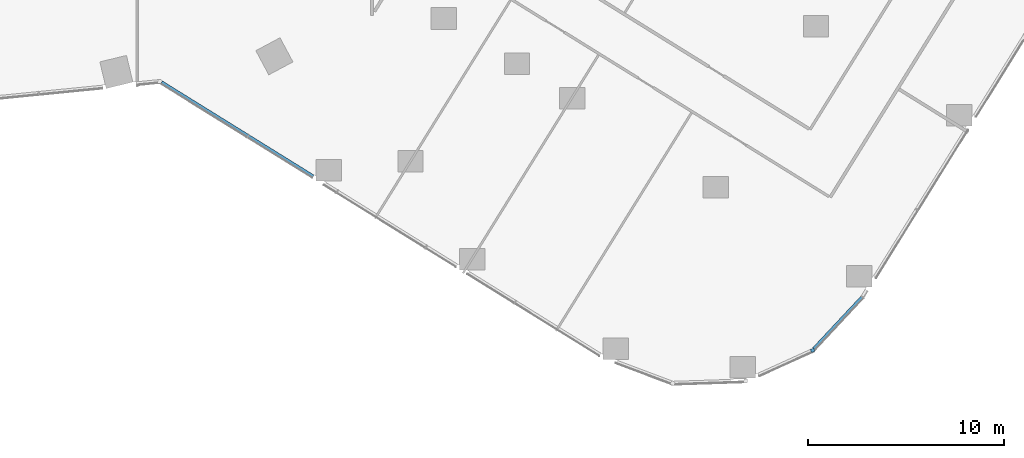
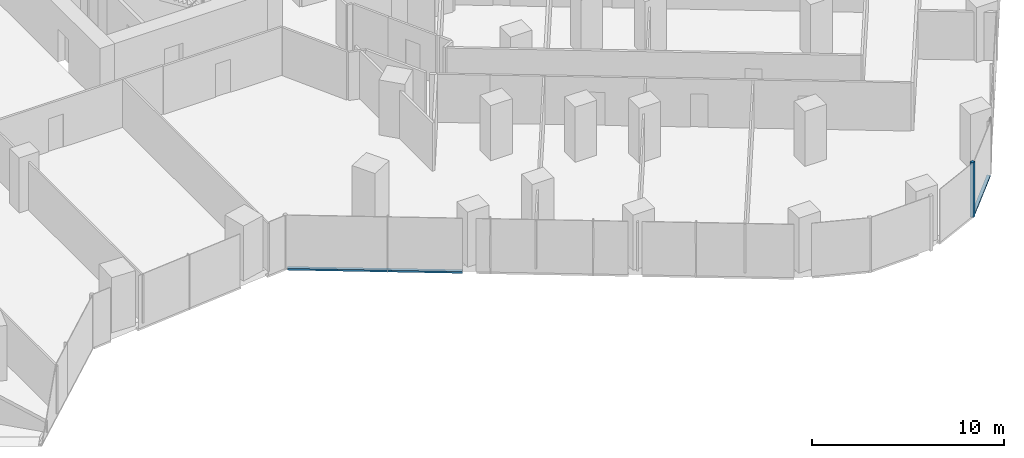
# One storey, part 8 of 34: 3 members, 3 elements without a shape of their own.
"""IFC4 building model written with IfcOpenShell, lengths in metres."""

from ifc_helpers import new_model, si_unit, direction, frame, origin, origin_2d, place, context, subcontext, project, spatial, rectangle, extrude, material, material_profile, profile_set, type_object, element, aggregate, save


model = new_model("IFC4")

# Units and contexts
model_context = context("Model", 3, precision=1e-05, world=origin(), true_north=direction((0.0, 1.0)))
body_context = subcontext(model_context, "Body", "Model", "MODEL_VIEW")
ifc_project = project(units=[si_unit("LENGTHUNIT", "METRE"), si_unit("AREAUNIT", "SQUARE_METRE"), si_unit("VOLUMEUNIT", "CUBIC_METRE"), si_unit("PLANEANGLEUNIT", "RADIAN"), si_unit("MASSUNIT", "GRAM", prefix="KILO")], contexts=[model_context])

# Site, building, storey
site_placement = place(None, origin())
site = spatial("IfcSite", under=ifc_project, at=site_placement, CompositionType="ELEMENT")
building_placement = place(site_placement, origin())
building = spatial("IfcBuilding", under=site, at=building_placement, Name="Orlundy Tower", CompositionType="ELEMENT")
storey_placement = place(building_placement, frame((0.0, 0.0, 47.800048828125)))
storey = spatial("IfcBuildingStorey", under=building, at=storey_placement, Name="L10", CompositionType="ELEMENT", Elevation=47.800048828125)

# Curtain wall, member
ifc_material_1 = material(Name="Aluminium bronze anodised", Category="aluminium")
curtain_wall_type = type_object("IfcCurtainWallType", Name="CW1 wall", PredefinedType="NOTDEFINED", material=ifc_material_1)
curtain_wall_1_placement = place(storey_placement, origin())
curtain_wall_1 = element("IfcCurtainWall", 1, at=curtain_wall_1_placement, inside=storey, type_object=curtain_wall_type, Name="CW1 run 013", PredefinedType="NOTDEFINED")
ifc_material_2 = material(Name="Aluminium bronze anodised", Category="aluminium")
ifc_material_profile_1 = material_profile(ifc_material_2, rectangle(XDim=0.179931640625, YDim=0.179931640625, at=origin_2d()), Name="CW1 corner post 180x180")
ifc_profile_set_1 = profile_set([ifc_material_profile_1], Name="Aluminium bronze anodised")
member_type_1 = type_object("IfcMemberType", Name="CW1 corner post 180x180", PredefinedType="MULLION", material=ifc_profile_set_1)
member_1_placement = place(storey_placement, frame((42.533447265625, -43.08544921875, -0.420166015625), z_axis=(0.0, 0.0, 1.0), x_axis=(0.413335357608, -0.91057887201, 0.0)))
member_1 = element("IfcMember", 2, at=member_1_placement, type_object=member_type_1, Name="CW1 mullion 41", PredefinedType="MULLION", context=body_context, shape_type="SweptSolid", body=[
    extrude(rectangle(XDim=0.179931640625, YDim=0.179931640625, at=origin_2d()), origin(), (0.0, 0.0, 1.0), 3.5),
])
aggregate(curtain_wall_1, [member_1])

curtain_wall_2_placement = place(storey_placement, origin())
curtain_wall_2 = element("IfcCurtainWall", 3, at=curtain_wall_2_placement, inside=storey, type_object=curtain_wall_type, Name="CW1 run 012", PredefinedType="NOTDEFINED")
ifc_material_3 = material(Name="Aluminium bronze anodised", Category="aluminium")
ifc_material_profile_2 = material_profile(ifc_material_3, rectangle(XDim=0.179931640625, YDim=0.1201171875, at=origin_2d()), Name="CW1 transom 180x120")
ifc_profile_set_2 = profile_set([ifc_material_profile_2], Name="Aluminium bronze anodised")
member_type_2 = type_object("IfcMemberType", Name="CW1 transom 180x120", PredefinedType="USERDEFINED", material=ifc_profile_set_2)
member_2_placement = place(storey_placement, frame((45.066650390625, -40.37744140625, -0.360107421875), z_axis=(-0.683115252824, -0.730310585545, 0.0), x_axis=(0.730310585545, -0.683115252824, 0.0)))
member_2 = element("IfcMember", 4, at=member_2_placement, type_object=member_type_2, Name="CW1 transom", ObjectType="TRANSOM", PredefinedType="USERDEFINED", context=body_context, shape_type="SweptSolid", body=[
    extrude(rectangle(XDim=0.179931640625, YDim=0.1201171875, at=origin_2d()), origin(), (0.0, 0.0, 1.0), 3.61083984375),
])
aggregate(curtain_wall_2, [member_2])

curtain_wall_3_placement = place(storey_placement, origin())
curtain_wall_3 = element("IfcCurtainWall", 5, at=curtain_wall_3_placement, inside=storey, type_object=curtain_wall_type, Name="CW1 run 016", PredefinedType="NOTDEFINED")
member_3_placement = place(storey_placement, frame((17.00390625, -34.203369140625, -0.360107421875), z_axis=(-0.849588913477, 0.527445426653, 0.0), x_axis=(-0.527445426653, -0.849588913477, 0.0)))
member_3 = element("IfcMember", 6, at=member_3_placement, type_object=member_type_2, Name="CW1 transom", ObjectType="TRANSOM", PredefinedType="USERDEFINED", context=body_context, shape_type="SweptSolid", body=[
    extrude(rectangle(XDim=0.179931640625, YDim=0.1201171875, at=origin_2d()), origin(), (0.0, 0.0, 1.0), 9.126953125),
])
aggregate(curtain_wall_3, [member_3])

save(model, "model.ifc")
